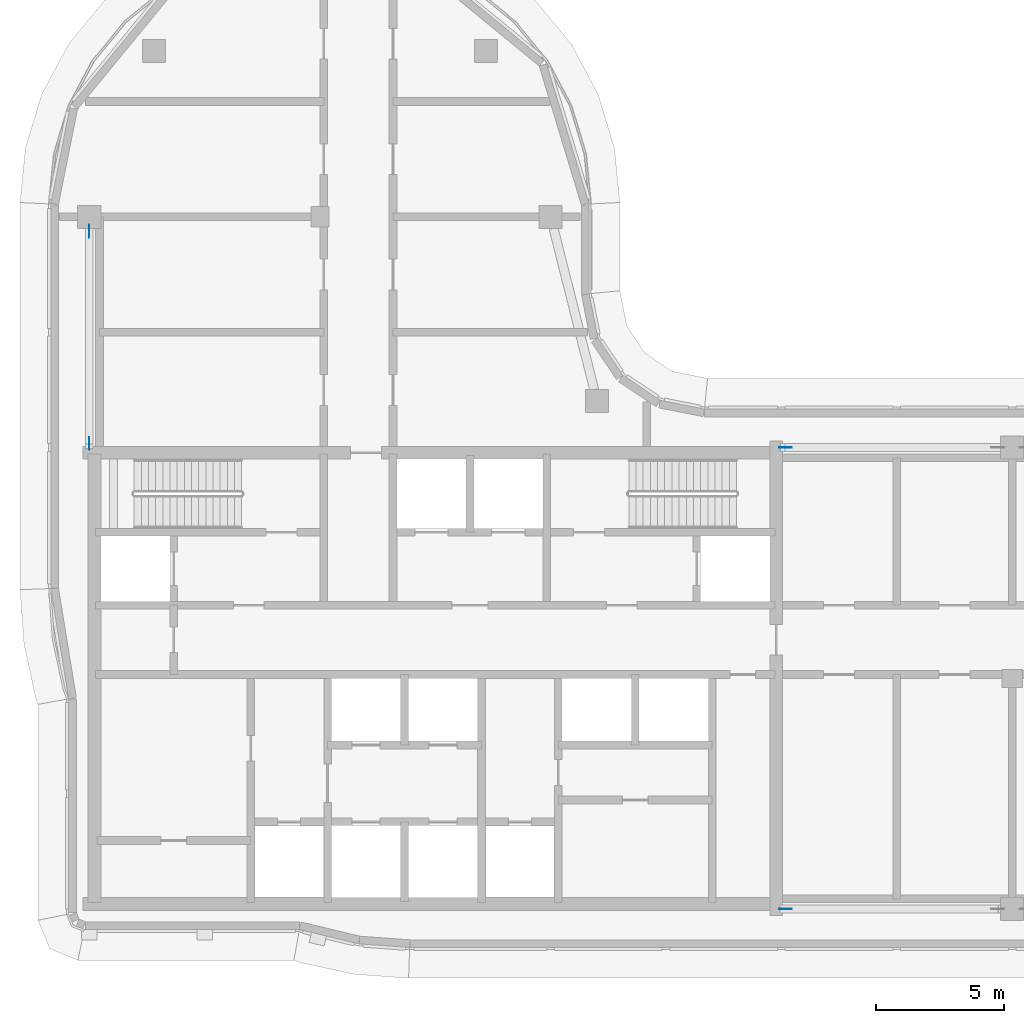
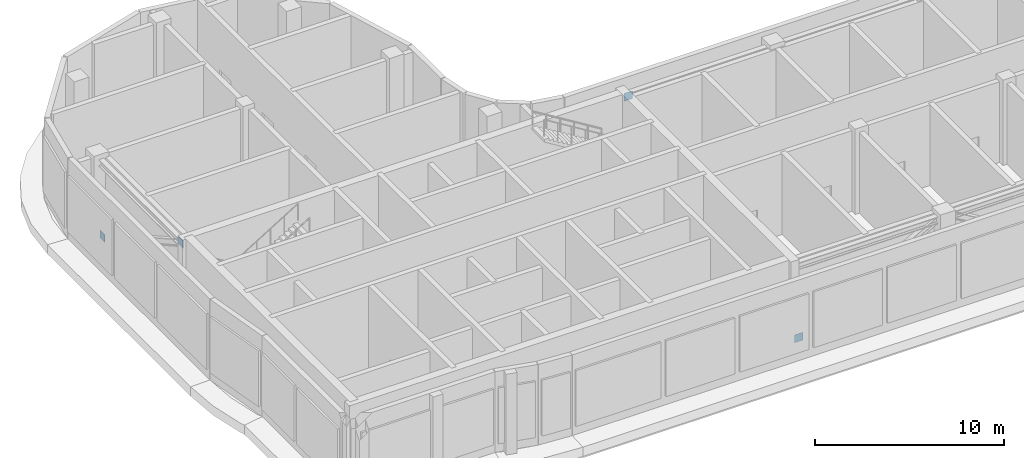
# One storey, part 7 of 14: 4 discrete accessories.
"""IFC4 building model written with IfcOpenShell, lengths in metres."""

import ifcopenshell
import ifcopenshell.guid

model = None  # the IFC model being written
_history = None  # IfcOwnerHistory: only IFC2X3 demands one
_inside = {}  # id of a spatial element -> (the spatial element, [elements in it])
_under = {}  # id of a project, library or spatial element -> (it, [spatial elements below it])
_declared = {}  # id of a project -> (the project, [libraries it declares])
_typed = {}  # id of a type object -> (the type object, [elements of that type])
_made_of = {}  # id of a material, layer set ... -> (it, [elements and type objects made of it])


def new_model(schema):
    """Start an empty IFC model of exactly this schema.

    Asked for "IFC4X3", IfcOpenShell would pick the latest addendum, in which some entities
    have other attributes; the version numbers below select the first issue.
    IFC2X3 requires an IfcOwnerHistory on every rooted entity: one is made here for all.
    """
    global model, _history
    if schema == "IFC4X3":
        model = ifcopenshell.file(schema_version=(4, 3, 0, 0))
    else:
        model = ifcopenshell.file(schema=schema)
    _inside.clear()
    _under.clear()
    _declared.clear()
    _typed.clear()
    _made_of.clear()
    _history = None
    if model.schema == "IFC2X3":
        org = make("IfcOrganization", Name="unknown")
        user = make(
            "IfcPersonAndOrganization",
            ThePerson=make("IfcPerson", FamilyName="unknown"),
            TheOrganization=org,
        )
        app = make(
            "IfcApplication",
            ApplicationDeveloper=org,
            Version="unknown",
            ApplicationFullName="unknown",
            ApplicationIdentifier="unknown",
        )
        _history = make(
            "IfcOwnerHistory",
            OwningUser=user,
            OwningApplication=app,
            ChangeAction="ADDED",
            CreationDate=0,
        )
    return model


def make(cls, **values):
    """One entity of the class cls with the attributes given. An attribute that is None is left unset."""
    return model.create_entity(
        cls, **{name: value for name, value in values.items() if value is not None}
    )


def rooted(cls, **values):
    """An entity with a GlobalId (a new one), such as an element, a storey or a relation."""
    return make(cls, GlobalId=ifcopenshell.guid.new(), OwnerHistory=_history, **values)


def si_unit(unit_type, name, prefix=None):
    """IfcSIUnit, for example si_unit("LENGTHUNIT", "METRE", prefix="MILLI")."""
    return make("IfcSIUnit", UnitType=unit_type, Prefix=prefix, Name=name)


def assignment(units):
    """IfcUnitAssignment: the units of a project."""
    return None if units is None else make("IfcUnitAssignment", Units=units)


def point(xyz):
    """IfcCartesianPoint."""
    return None if xyz is None else make("IfcCartesianPoint", Coordinates=xyz)


def direction(xyz):
    """IfcDirection."""
    return None if xyz is None else make("IfcDirection", DirectionRatios=xyz)


def frame(location, z_axis=None, x_axis=None):
    """IfcAxis2Placement3D, a coordinate frame: its origin and axes. An axis left out is left unset."""
    return make(
        "IfcAxis2Placement3D",
        Location=point(location),
        Axis=direction(z_axis),
        RefDirection=direction(x_axis),
    )


def frame_2d(location, x_axis=None):
    """IfcAxis2Placement2D, a coordinate frame in the plane: its origin and x axis."""
    return make(
        "IfcAxis2Placement2D", Location=point(location), RefDirection=direction(x_axis)
    )


def origin():
    """The frame at (0, 0, 0) with its axes left unset."""
    return frame((0.0, 0.0, 0.0))


def origin_2d():
    """The frame at (0, 0) in the plane with its x axis left unset."""
    return frame_2d((0.0, 0.0))


def place(relative_to, where):
    """IfcLocalPlacement: puts the frame where relative to a parent placement (None: the world)."""
    return make(
        "IfcLocalPlacement", PlacementRelTo=relative_to, RelativePlacement=where
    )


def context(
    kind, dimensions, precision=None, world=None, true_north=None, identifier=None
):
    """IfcGeometricRepresentationContext, for example the 3D "Model" context."""
    return make(
        "IfcGeometricRepresentationContext",
        ContextIdentifier=identifier,
        ContextType=kind,
        CoordinateSpaceDimension=dimensions,
        Precision=precision,
        WorldCoordinateSystem=world,
        TrueNorth=true_north,
    )


def subcontext(parent, identifier, kind, view, scale=None):
    """IfcGeometricRepresentationSubContext, for example "Body" below "Model"."""
    return make(
        "IfcGeometricRepresentationSubContext",
        ContextIdentifier=identifier,
        ContextType=kind,
        ParentContext=parent,
        TargetScale=scale,
        TargetView=view,
    )


def project(units=None, contexts=None):
    """IfcProject with its units and contexts."""
    return rooted(
        "IfcProject",
        Name="project",
        RepresentationContexts=contexts,
        UnitsInContext=assignment(units),
    )


def spatial(cls, under=None, at=None, **own):
    """A site, building, storey or space (cls), placed at a placement, below another one or the project."""
    s = rooted(cls, ObjectPlacement=at, **own)
    if under is not None:
        _under.setdefault(under.id(), (under, []))[1].append(s)
    return s


def profile(cls, at=None, kind="AREA", **sizes):
    """A parametric profile (cls). Its sizes go by their IFC names, for example OverallWidth=200.0."""
    return make(cls, ProfileType=kind, Position=at, **sizes)


def rectangle(**sizes):
    """IfcRectangleProfileDef."""
    return profile("IfcRectangleProfileDef", **sizes)


def extrude(swept, where, along, depth):
    """IfcExtrudedAreaSolid: the profile swept, set in the frame where, extruded along a direction by depth."""
    return make(
        "IfcExtrudedAreaSolid",
        SweptArea=swept,
        Position=where,
        ExtrudedDirection=direction(along),
        Depth=depth,
    )


def shape(context_of_items, identifier, shape_type, items):
    """IfcShapeRepresentation: the items that make up one representation, for example the "Body"."""
    return make(
        "IfcShapeRepresentation",
        ContextOfItems=context_of_items,
        RepresentationIdentifier=identifier,
        RepresentationType=shape_type,
        Items=items,
    )


def material(Name=None, Category=None):
    """IfcMaterial."""
    return make("IfcMaterial", Name=Name, Category=Category)


def layer(
    of_material, thickness, ventilated=None, Name=None, Category=None, Priority=None
):
    """IfcMaterialLayer: one layer of a wall or slab, of a material (None: an air gap)."""
    return make(
        "IfcMaterialLayer",
        Material=of_material,
        LayerThickness=thickness,
        IsVentilated=ventilated,
        Name=Name,
        Category=Category,
        Priority=Priority,
    )


def layer_set(layers, Name=None):
    """IfcMaterialLayerSet."""
    return make("IfcMaterialLayerSet", MaterialLayers=layers, LayerSetName=Name)


def made_of(thing, what):
    """Note that an element or type object is made of a material, layer set ...; save() writes the relation."""
    if what is not None:
        _made_of.setdefault(what.id(), (what, []))[1].append(thing)
    return thing


def type_object(cls, material=None, **own):
    """A type object (cls), such as IfcWallType, which elements share."""
    return made_of(rooted(cls, **own), material)


def element(
    cls,
    number,
    at=None,
    inside=None,
    cuts=None,
    type_object=None,
    material=None,
    context=None,
    identifier="Body",
    shape_type=None,
    held_by="IfcProductDefinitionShape",
    body=None,
    shapes=None,
    **own,
):
    """One element of the class cls, such as IfcWall. Its Tag is "e" and its number.

    at: its placement. inside: the storey or other place that contains it. cuts: it is an
    opening in that element (IfcRelVoidsElement). A single representation is given by context,
    identifier, shape_type and body (its items); several are given by shapes. held_by: the class
    of the entity that holds the representations. save() writes the other relations.
    """
    e = rooted(cls, Tag="e%d" % number, ObjectPlacement=at, **own)
    if body is not None:
        shapes = [shape(context, identifier, shape_type, body)]
    if shapes is not None:
        e.Representation = make(held_by, Representations=shapes)
    if inside is not None:
        _inside.setdefault(inside.id(), (inside, []))[1].append(e)
    if cuts is not None:
        rooted(
            "IfcRelVoidsElement", RelatingBuildingElement=cuts, RelatedOpeningElement=e
        )
    if type_object is not None:
        _typed.setdefault(type_object.id(), (type_object, []))[1].append(e)
    return made_of(e, material)


def aggregate(whole, parts):
    """IfcRelAggregates: a whole, such as a stair, and the parts it consists of."""
    return rooted("IfcRelAggregates", RelatingObject=whole, RelatedObjects=parts)


def save(model, path):
    """Write the relations noted so far, then the file.

    IfcRelAggregates (storeys below a building ...), IfcRelContainedInSpatialStructure (elements
    in a storey), IfcRelDefinesByType, IfcRelAssociatesMaterial and IfcRelDeclares: one each for
    every whole, place, type object, material and project.
    """
    for whole, parts in _under.values():
        aggregate(whole, parts)
    for where, things in _inside.values():
        rooted(
            "IfcRelContainedInSpatialStructure",
            RelatedElements=things,
            RelatingStructure=where,
        )
    for kind, things in _typed.values():
        rooted("IfcRelDefinesByType", RelatedObjects=things, RelatingType=kind)
    for what, things in _made_of.values():
        rooted("IfcRelAssociatesMaterial", RelatedObjects=things, RelatingMaterial=what)
    for by, libraries in _declared.values():
        rooted("IfcRelDeclares", RelatingContext=by, RelatedDefinitions=libraries)
    model.write(path)


model = new_model("IFC4")

# Units and contexts
model_context = context("Model", 3, precision=1e-05, world=origin(), true_north=direction((0.0, 1.0)))
body_context = subcontext(model_context, "Body", "Model", "MODEL_VIEW")
ifc_project = project(units=[si_unit("LENGTHUNIT", "METRE"), si_unit("AREAUNIT", "SQUARE_METRE"), si_unit("VOLUMEUNIT", "CUBIC_METRE"), si_unit("PLANEANGLEUNIT", "RADIAN"), si_unit("MASSUNIT", "GRAM", prefix="KILO")], contexts=[model_context])

# Site, building, storey
site_placement = place(None, origin())
site = spatial("IfcSite", under=ifc_project, at=site_placement, CompositionType="ELEMENT")
building_placement = place(site_placement, origin())
building = spatial("IfcBuilding", under=site, at=building_placement, Name="Ogive Portal Towers", CompositionType="ELEMENT")
storey_placement = place(building_placement, frame((0.0, 0.0, 243.89990234375)))
storey = spatial("IfcBuildingStorey", under=building, at=storey_placement, Name="L61", CompositionType="ELEMENT", Elevation=243.89990234375)

# Discrete accessories
ifc_material = material(Name="Steel S355", Category="steel")
ifc_layer = layer(ifc_material, 0.01611328125)
ifc_layer_set = layer_set([ifc_layer], Name="GUSSET PLATE 500x500x16")
discrete_accessory_type = type_object("IfcDiscreteAccessoryType", Name="GUSSET PLATE 500x500x16", PredefinedType="BRACKET", material=ifc_layer_set)
for number, where, z_axis, x_axis, name in (
    (1, (58.658935546875, 21.5, 0.02734375), (0.0, 0.0, 1.0), (1.0, 0.0, 0.0), "Gusset plate"),
    (2, (58.658935546875, 39.5, 4.6728515625), (0.0, 0.0, 1.0), (-1.0, 0.0, 0.0), "Gusset plate"),
    (3, (31.5, 47.94091796875, 0.02734375), (0.0, 0.0, 1.0), (0.0, -1.0, 0.0), "Gusset plate"),
    (4, (31.5, 39.658935546875, 4.6728515625), (0.0, 0.0, 1.0), (0.0, -1.0, 0.0), "Gusset plate"),
):
    element("IfcDiscreteAccessory", number, at=place(storey_placement, frame(where, z_axis=z_axis, x_axis=x_axis)), inside=storey, type_object=discrete_accessory_type, Name=name, PredefinedType="BRACKET", context=body_context, shape_type="SweptSolid", body=[
        extrude(rectangle(XDim=0.5, YDim=0.01611328125, at=origin_2d()), origin(), (0.0, 0.0, 1.0), 0.5),
    ])

save(model, "model.ifc")
